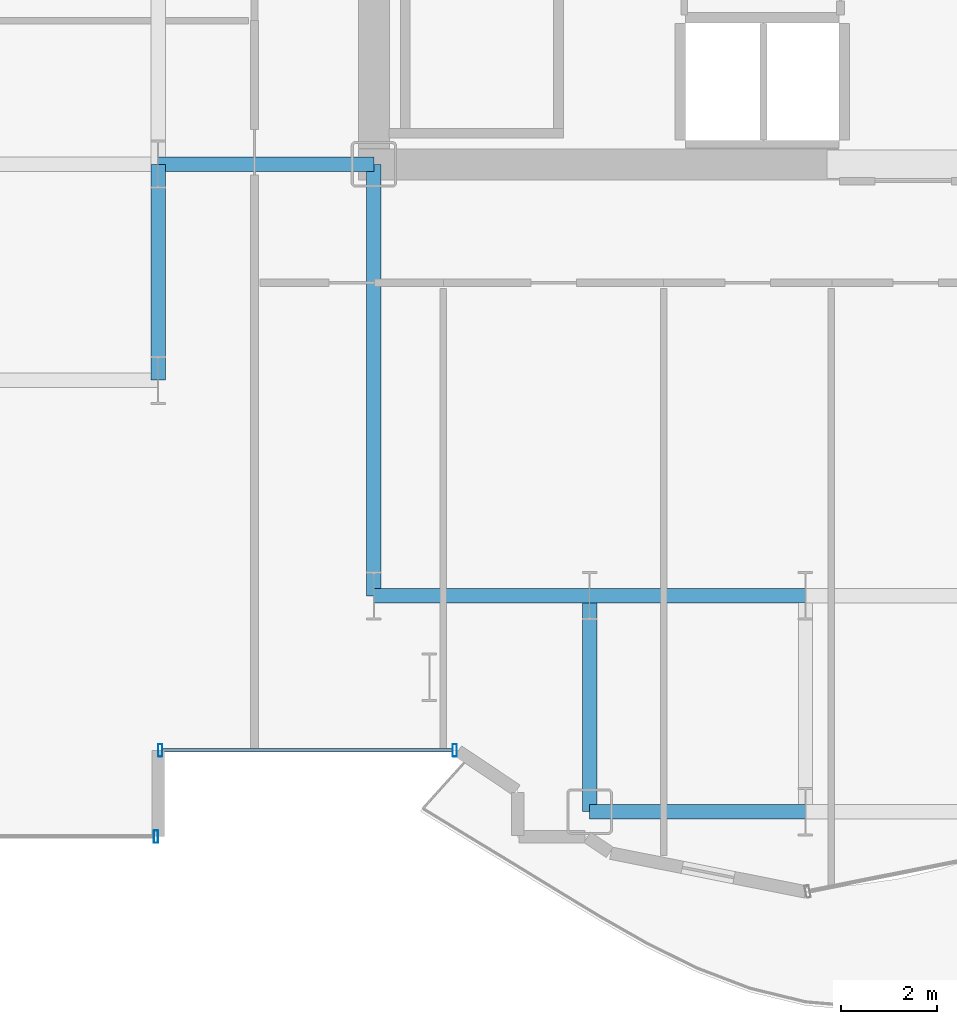
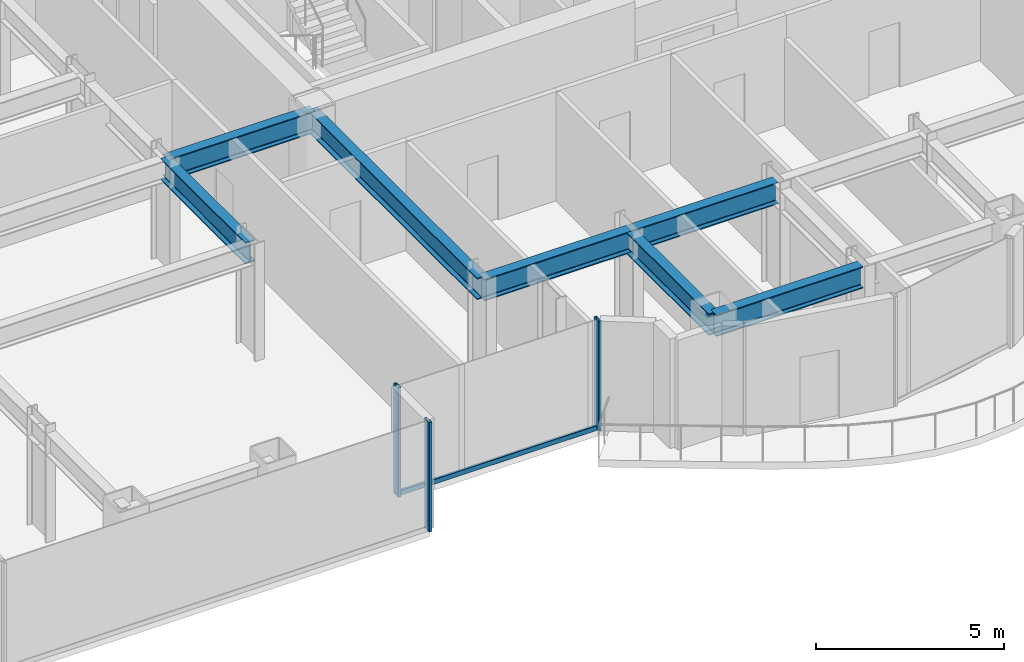
# One storey, part 4 of 29: 7 beams, 4 members, 2 elements without a shape of their own.
"""IFC4 building model written with IfcOpenShell, lengths in metres."""

from ifc_helpers import new_model, si_unit, direction, frame, origin, origin_2d, place, context, subcontext, project, spatial, hollow_rectangle, i_section, extrude, source, transform, mapped, material, layer, layer_set, material_profile, profile_set, type_object, element, aggregate, save


model = new_model("IFC4")

# Units and contexts
model_context = context("Model", 3, precision=1e-05, world=origin(), true_north=direction((0.0, 1.0)))
body_context = subcontext(model_context, "Body", "Model", "MODEL_VIEW")
ifc_project = project(units=[si_unit("LENGTHUNIT", "METRE"), si_unit("AREAUNIT", "SQUARE_METRE"), si_unit("VOLUMEUNIT", "CUBIC_METRE"), si_unit("PLANEANGLEUNIT", "RADIAN"), si_unit("MASSUNIT", "GRAM", prefix="KILO")], contexts=[model_context])

# Site, building, storey
site_placement = place(None, origin())
site = spatial("IfcSite", under=ifc_project, at=site_placement, CompositionType="ELEMENT")
building_placement = place(site_placement, origin())
building = spatial("IfcBuilding", under=site, at=building_placement, Name="Nefas-Gora Pilgrimage Tower", CompositionType="ELEMENT")
storey_placement = place(building_placement, frame((0.0, 0.0, 55.800048828125)))
storey = spatial("IfcBuildingStorey", under=building, at=storey_placement, Name="L12", CompositionType="ELEMENT", Elevation=55.800048828125)

# Beams
ifc_material_1 = material(Name="Steel S355", Category="steel")
ifc_material_profile_1 = material_profile(ifc_material_1, i_section(OverallWidth=0.300048828125, OverallDepth=0.699951171875, WebThickness=0.01708984375, FlangeThickness=0.031982421875, FilletRadius=0.027099609375, at=origin_2d()), Name="HEB 700")
ifc_profile_set_1 = profile_set([ifc_material_profile_1], Name="Steel S355")
beam_type = type_object("IfcBeamType", Name="BM-GIR-HEB700", PredefinedType="BEAM", material=ifc_profile_set_1)
shared_shape_1 = source(origin(), body_context, "Body", "SweptSolid", [
    extrude(i_section(OverallWidth=0.300048828125, OverallDepth=0.699951171875, WebThickness=0.01708984375, FlangeThickness=0.031982421875, FilletRadius=0.027099609375, at=origin_2d()), origin(), (0.0, 0.0, 1.0), 9.0),
])
beam_placement = place(storey_placement, frame((-11.25, -18.0, 3.199951171875), z_axis=(0.0, 1.0, 0.0), x_axis=(-1.0, 0.0, 0.0)))
element("IfcBeam", 1, at=beam_placement, inside=storey, type_object=beam_type, Name="L12 G-02 beam", PredefinedType="BEAM", context=body_context, shape_type="MappedRepresentation", body=[
    mapped(shared_shape_1, transform((0.0, 0.0, 0.0), x_axis=(1.0, 0.0, 0.0), y_axis=(0.0, 1.0, 0.0), z_axis=(0.0, 0.0, 1.0), scale=1.0)),
])
shared_shape_2 = source(origin(), body_context, "Body", "SweptSolid", [
    extrude(i_section(OverallWidth=0.300048828125, OverallDepth=0.699951171875, WebThickness=0.01708984375, FlangeThickness=0.031982421875, FilletRadius=0.027099609375, at=origin_2d()), origin(), (0.0, 0.0, 1.0), 4.5),
])
for number, where, z_axis, x_axis, name in (
    (2, (-15.75, -13.5, 3.199951171875), (0.0, 1.0, 0.0), (-1.0, 0.0, 0.0), "L12 G-02 beam"),
    (3, (-15.75, -9.0, 3.199951171875), (1.0, 0.0, 0.0), (0.0, 1.0, 0.0), "L12 G-02 beam"),
    (4, (-11.25, -18.0, 3.199951171875), (1.0, 0.0, 0.0), (0.0, 1.0, 0.0), "L12 G-02 beam"),
    (5, (-6.75, -22.5, 3.199951171875), (0.0, 1.0, 0.0), (-1.0, 0.0, 0.0), "L12 G-02 beam"),
    (6, (-6.75, -22.5, 3.199951171875), (1.0, 0.0, 0.0), (0.0, 1.0, 0.0), "L12 G-02 beam"),
    (7, (-6.75, -18.0, 3.199951171875), (1.0, 0.0, 0.0), (0.0, 1.0, 0.0), "L12 G-02 beam"),
):
    element("IfcBeam", number, at=place(storey_placement, frame(where, z_axis=z_axis, x_axis=x_axis)), inside=storey, type_object=beam_type, Name=name, PredefinedType="BEAM", context=body_context, shape_type="MappedRepresentation", body=[
        mapped(shared_shape_2, transform((0.0, 0.0, 0.0), x_axis=(1.0, 0.0, 0.0), y_axis=(0.0, 1.0, 0.0), z_axis=(0.0, 0.0, 1.0), scale=1.0)),
    ])

# Curtain wall, members
ifc_material_2 = material(Name="Dark ceramic-fritted solar-control aluminium-glass curtain wall", Category="aluminium")
ifc_layer_1 = layer(ifc_material_2, 0.219970703125)
ifc_layer_set_1 = layer_set([ifc_layer_1], Name="Dark ceramic-fritted solar-control aluminium-glass curtain wall")
curtain_wall_type_1 = type_object("IfcCurtainWallType", Name="CW-SYS-5", PredefinedType="NOTDEFINED", material=ifc_layer_set_1)
curtain_wall_1_placement = place(storey_placement, origin())
curtain_wall_1 = element("IfcCurtainWall", 8, at=curtain_wall_1_placement, inside=storey, type_object=curtain_wall_type_1, Name="L12 Unitised Curtain Wall CW5", PredefinedType="NOTDEFINED")
ifc_material_3 = material(Name="Anodised architectural aluminium", Category="aluminium")
ifc_material_profile_2 = material_profile(ifc_material_3, hollow_rectangle(XDim=0.090087890625, YDim=0.260009765625, WallThickness=0.006103515625, InnerFilletRadius=0.006103515625, OuterFilletRadius=0.011962890625, at=origin_2d()), Name="ALU MULLION 90x260")
ifc_profile_set_2 = profile_set([ifc_material_profile_2], Name="Anodised architectural aluminium")
member_type_1 = type_object("IfcMemberType", Name="CWM-MUL-5", PredefinedType="MULLION", material=ifc_profile_set_2)
shared_shape_3 = source(origin(), body_context, "Body", "SweptSolid", [
    extrude(hollow_rectangle(XDim=0.090087890625, YDim=0.260009765625, WallThickness=0.006103515625, InnerFilletRadius=0.006103515625, OuterFilletRadius=0.011962890625, at=origin_2d()), origin(), (0.0, 0.0, 1.0), 3.550048828125),
])
member_1_placement = place(storey_placement, frame((-15.705078125, -21.219970703125, 0.0), z_axis=(0.0, 0.0, 1.0), x_axis=(1.0, 0.0, 0.0)))
member_1 = element("IfcMember", 9, at=member_1_placement, type_object=member_type_1, Name="CW5 Mullion 1", PredefinedType="MULLION", context=body_context, shape_type="MappedRepresentation", body=[
    mapped(shared_shape_3, transform((0.0, 0.0, 0.0), x_axis=(1.0, 0.0, 0.0), y_axis=(0.0, 1.0, 0.0), z_axis=(0.0, 0.0, 1.0), scale=1.0)),
])
member_2_placement = place(storey_placement, frame((-9.56298828125, -21.219970703125, 0.0), z_axis=(0.0, 0.0, 1.0), x_axis=(1.0, 0.0, 0.0)))
member_2 = element("IfcMember", 10, at=member_2_placement, type_object=member_type_1, Name="CW5 Mullion 2", PredefinedType="MULLION", context=body_context, shape_type="MappedRepresentation", body=[
    mapped(shared_shape_3, transform((0.0, 0.0, 0.0), x_axis=(1.0, 0.0, 0.0), y_axis=(0.0, 1.0, 0.0), z_axis=(0.0, 0.0, 1.0), scale=1.0)),
])
ifc_material_profile_3 = material_profile(ifc_material_3, hollow_rectangle(XDim=0.080078125, YDim=0.159912109375, WallThickness=0.00439453125, InnerFilletRadius=0.00439453125, OuterFilletRadius=0.009033203125, at=origin_2d()), Name="ALU TRANSOM 80x160")
ifc_profile_set_3 = profile_set([ifc_material_profile_3], Name="Anodised architectural aluminium")
member_type_2 = type_object("IfcMemberType", Name="CWM-TRN-5", PredefinedType="USERDEFINED", material=ifc_profile_set_3)
shared_shape_4 = source(origin(), body_context, "Body", "SweptSolid", [
    extrude(hollow_rectangle(XDim=0.080078125, YDim=0.159912109375, WallThickness=0.00439453125, InnerFilletRadius=0.00439453125, OuterFilletRadius=0.009033203125, at=origin_2d()), origin(), (0.0, 0.0, 1.0), 6.052001953125),
])
member_3_placement = place(storey_placement, frame((-15.659912109375, -21.219970703125, 0.050048828125), z_axis=(1.0, 0.0, 0.0), x_axis=(0.0, 1.0, 0.0)))
member_3 = element("IfcMember", 11, at=member_3_placement, type_object=member_type_2, Name="CW5 Spandrel Transom", ObjectType="TRANSOM", PredefinedType="USERDEFINED", context=body_context, shape_type="MappedRepresentation", body=[
    mapped(shared_shape_4, transform((0.0, 0.0, 0.0), x_axis=(1.0, 0.0, 0.0), y_axis=(0.0, 1.0, 0.0), z_axis=(0.0, 0.0, 1.0), scale=1.0)),
])
aggregate(curtain_wall_1, [member_1, member_2, member_3])

# Curtain wall, member
ifc_layer_2 = layer(ifc_material_2, 0.219970703125)
ifc_layer_set_2 = layer_set([ifc_layer_2], Name="Dark ceramic-fritted solar-control aluminium-glass curtain wall")
curtain_wall_type_2 = type_object("IfcCurtainWallType", Name="CW-SYS-2", PredefinedType="NOTDEFINED", material=ifc_layer_set_2)
curtain_wall_2_placement = place(storey_placement, origin())
curtain_wall_2 = element("IfcCurtainWall", 12, at=curtain_wall_2_placement, inside=storey, type_object=curtain_wall_type_2, Name="L12 Unitised Curtain Wall CW2", PredefinedType="NOTDEFINED")
ifc_material_profile_4 = material_profile(ifc_material_3, hollow_rectangle(XDim=0.090087890625, YDim=0.260009765625, WallThickness=0.006103515625, InnerFilletRadius=0.006103515625, OuterFilletRadius=0.011962890625, at=origin_2d()), Name="ALU MULLION 90x260")
ifc_profile_set_4 = profile_set([ifc_material_profile_4], Name="Anodised architectural aluminium")
member_type_3 = type_object("IfcMemberType", Name="CWM-MUL-2", PredefinedType="MULLION", material=ifc_profile_set_4)
shared_shape_5 = source(origin(), body_context, "Body", "SweptSolid", [
    extrude(hollow_rectangle(XDim=0.090087890625, YDim=0.260009765625, WallThickness=0.006103515625, InnerFilletRadius=0.006103515625, OuterFilletRadius=0.011962890625, at=origin_2d()), origin(), (0.0, 0.0, 1.0), 3.550048828125),
])
member_4_placement = place(storey_placement, frame((-15.794921875, -23.02001953125, 0.0), z_axis=(0.0, 0.0, 1.0), x_axis=(1.0, 0.0, 0.0)))
member_4 = element("IfcMember", 13, at=member_4_placement, type_object=member_type_3, Name="CW2 Mullion 2", PredefinedType="MULLION", context=body_context, shape_type="MappedRepresentation", body=[
    mapped(shared_shape_5, transform((0.0, 0.0, 0.0), x_axis=(1.0, 0.0, 0.0), y_axis=(0.0, 1.0, 0.0), z_axis=(0.0, 0.0, 1.0), scale=1.0)),
])
aggregate(curtain_wall_2, [member_4])

save(model, "model.ifc")
